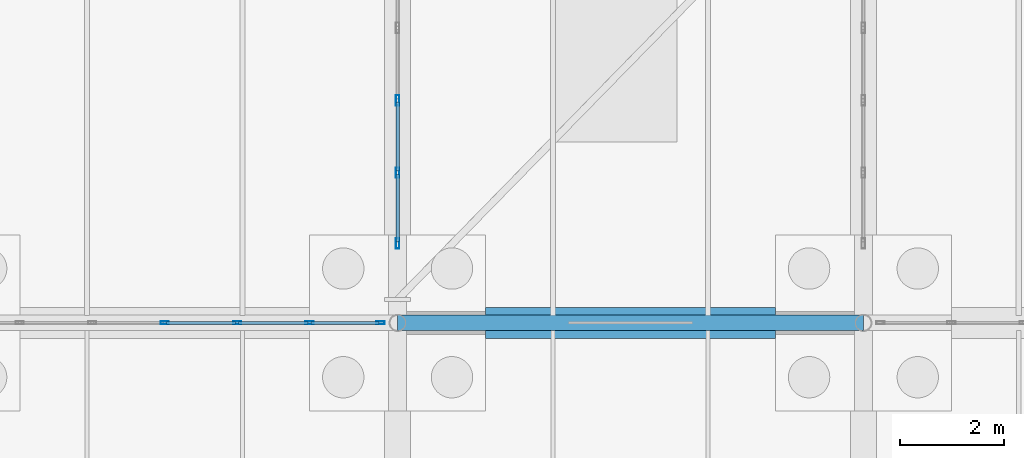
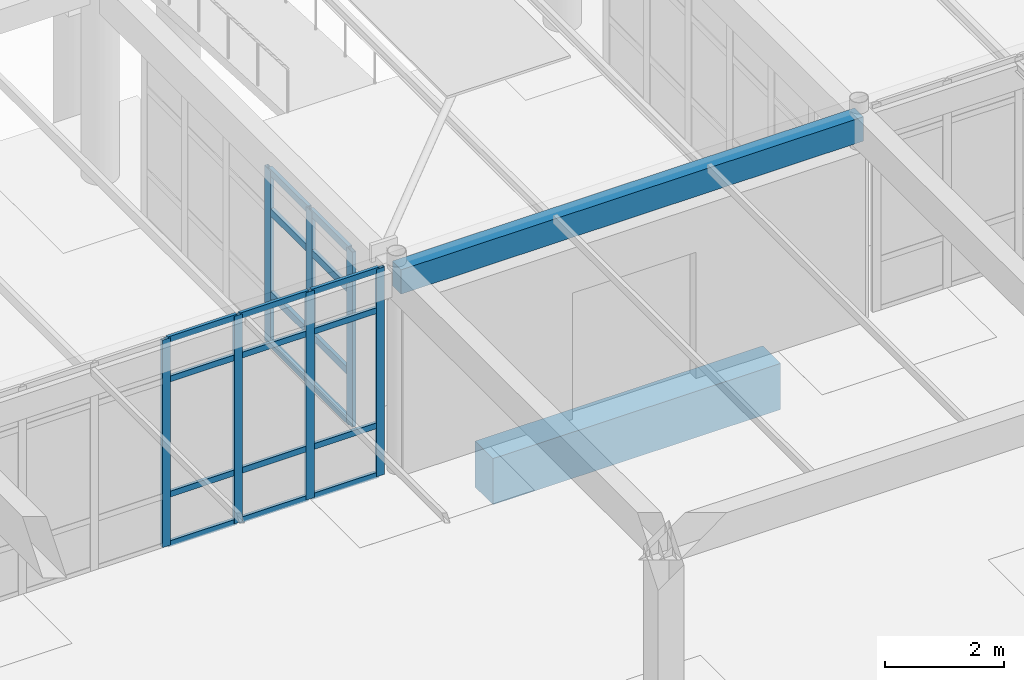
# One storey, part 72 of 186: 27 members, 2 beams, 2 elements without a shape of their own.
"""IFC4 building model written with IfcOpenShell, lengths in metres."""

from ifc_helpers import new_model, si_unit, direction, frame, origin, origin_2d, place, context, subcontext, project, spatial, rectangle, hollow_rectangle, extrude, material, layer, layer_set, material_profile, profile_set, type_object, element, aggregate, save


model = new_model("IFC4")

# Units and contexts
model_context = context("Model", 3, precision=1e-05, world=origin(), true_north=direction((0.0, 1.0)))
body_context = subcontext(model_context, "Body", "Model", "MODEL_VIEW")
ifc_project = project(units=[si_unit("LENGTHUNIT", "METRE"), si_unit("AREAUNIT", "SQUARE_METRE"), si_unit("VOLUMEUNIT", "CUBIC_METRE"), si_unit("PLANEANGLEUNIT", "RADIAN"), si_unit("MASSUNIT", "GRAM", prefix="KILO")], contexts=[model_context])

# Site, building, storey
site_placement = place(None, origin())
site = spatial("IfcSite", under=ifc_project, at=site_placement, CompositionType="ELEMENT")
building_placement = place(site_placement, origin())
building = spatial("IfcBuilding", under=site, at=building_placement, Name="Ornek Quay Market", CompositionType="ELEMENT")
storey_placement = place(building_placement, origin())
storey = spatial("IfcBuildingStorey", under=building, at=storey_placement, Name="L00", CompositionType="ELEMENT", Elevation=0.0)

# Beams
ifc_material_1 = material(Name="Concrete C35/45", Category="concrete")
ifc_material_profile_1 = material_profile(ifc_material_1, rectangle(XDim=0.60009765625, YDim=0.949951171875, at=origin_2d()), Name="RC 600x950", Category="concrete")
ifc_profile_set_1 = profile_set([ifc_material_profile_1], Name="Concrete C35/45")
beam_type_1 = type_object("IfcBeamType", Name="BM-GB-600x950", PredefinedType="BEAM", material=ifc_profile_set_1)
beam_1_placement = place(storey_placement, frame((37.699951171875, 110.0, -0.675048828125), z_axis=(1.0, 0.0, 0.0), x_axis=(0.0, 1.0, 0.0)))
element("IfcBeam", 1, at=beam_1_placement, inside=storey, type_object=beam_type_1, Name="Ground tie beam GB-046", PredefinedType="BEAM", context=body_context, shape_type="SweptSolid", body=[
    extrude(rectangle(XDim=0.60009765625, YDim=0.949951171875, at=origin_2d()), origin(), (0.0, 0.0, 1.0), 5.60009765625),
])
ifc_material_2 = material(Name="Concrete C40/50", Category="concrete")
ifc_material_profile_2 = material_profile(ifc_material_2, rectangle(XDim=0.300048828125, YDim=0.5, at=origin_2d()), Name="RC 300x500", Category="concrete")
ifc_profile_set_2 = profile_set([ifc_material_profile_2], Name="Concrete C40/50")
beam_type_2 = type_object("IfcBeamType", Name="BM-UMB-RIM-300x500", PredefinedType="SPANDREL", material=ifc_profile_set_2)
beam_2_placement = place(storey_placement, frame((36.0, 110.0, 3.93994140625), z_axis=(1.0, 0.0, 0.0), x_axis=(0.0, 1.0, 0.0)))
element("IfcBeam", 2, at=beam_2_placement, inside=storey, type_object=beam_type_2, Name="Primary beam B-UMR-005", PredefinedType="SPANDREL", context=body_context, shape_type="SweptSolid", body=[
    extrude(rectangle(XDim=0.300048828125, YDim=0.5, at=origin_2d()), origin(), (0.0, 0.0, 1.0), 9.0),
])

# Curtain wall, members
ifc_material_3 = material(Name="Anodised bronze aluminium and triple low-e glass", Category="aluminium")
ifc_layer_1 = layer(ifc_material_3, 0.179931640625, Name="Anodised bronze aluminium and triple low-e glass", Category="aluminium")
ifc_layer_set_1 = layer_set([ifc_layer_1], Name="Anodised bronze aluminium and triple low-e glass")
curtain_wall_type_1 = type_object("IfcCurtainWallType", Name="CW-CONC-MOD1500", PredefinedType="USERDEFINED", material=ifc_layer_set_1)
curtain_wall_1_placement = place(storey_placement, origin())
curtain_wall_1 = element("IfcCurtainWall", 3, at=curtain_wall_1_placement, inside=storey, type_object=curtain_wall_type_1, Name="Curtain wall CW-005", ObjectType="CURTAIN WALL", PredefinedType="USERDEFINED")
ifc_material_4 = material(Name="Anodised aluminium 6063-T6", Category="aluminium")
ifc_material_profile_3 = material_profile(ifc_material_4, hollow_rectangle(XDim=0.06005859375, YDim=0.159912109375, WallThickness=0.00390625, at=origin_2d()), Name="CW-MUL-60x160", Category="aluminium")
ifc_profile_set_3 = profile_set([ifc_material_profile_3], Name="Anodised aluminium 6063-T6")
member_type_1 = type_object("IfcMemberType", Name="CW-MUL-60x160", PredefinedType="MULLION", material=ifc_profile_set_3)
member_1_placement = place(storey_placement, frame((31.5, 110.0, 0.0), z_axis=(0.0, 0.0, 1.0), x_axis=(0.0, 1.0, 0.0)))
member_1 = element("IfcMember", 4, at=member_1_placement, type_object=member_type_1, Name="CW-005 mullion 4", PredefinedType="MULLION", context=body_context, shape_type="SweptSolid", body=[
    extrude(hollow_rectangle(XDim=0.06005859375, YDim=0.159912109375, WallThickness=0.00390625, at=origin_2d()), origin(), (0.0, 0.0, 1.0), 4.27001953125),
])
member_2_placement = place(storey_placement, frame((32.89990234375, 110.0, 0.0), z_axis=(0.0, 0.0, 1.0), x_axis=(0.0, 1.0, 0.0)))
member_2 = element("IfcMember", 5, at=member_2_placement, type_object=member_type_1, Name="CW-005 mullion 5", PredefinedType="MULLION", context=body_context, shape_type="SweptSolid", body=[
    extrude(hollow_rectangle(XDim=0.06005859375, YDim=0.159912109375, WallThickness=0.00390625, at=origin_2d()), origin(), (0.0, 0.0, 1.0), 4.27001953125),
])
member_3_placement = place(storey_placement, frame((34.300048828125, 110.0, 0.0), z_axis=(0.0, 0.0, 1.0), x_axis=(0.0, 1.0, 0.0)))
member_3 = element("IfcMember", 6, at=member_3_placement, type_object=member_type_1, Name="CW-005 mullion 6", PredefinedType="MULLION", context=body_context, shape_type="SweptSolid", body=[
    extrude(hollow_rectangle(XDim=0.06005859375, YDim=0.159912109375, WallThickness=0.00390625, at=origin_2d()), origin(), (0.0, 0.0, 1.0), 4.27001953125),
])
member_4_placement = place(storey_placement, frame((35.669921875, 110.0, 0.0), z_axis=(0.0, 0.0, 1.0), x_axis=(0.0, 1.0, 0.0)))
member_4 = element("IfcMember", 7, at=member_4_placement, type_object=member_type_1, Name="CW-005 mullion 7", PredefinedType="MULLION", context=body_context, shape_type="SweptSolid", body=[
    extrude(hollow_rectangle(XDim=0.06005859375, YDim=0.159912109375, WallThickness=0.00390625, at=origin_2d()), origin(), (0.0, 0.0, 1.0), 4.27001953125),
])

ifc_layer_2 = layer(ifc_material_3, 0.219970703125, Name="Anodised bronze aluminium and triple low-e glass", Category="aluminium")
ifc_layer_set_2 = layer_set([ifc_layer_2], Name="Anodised bronze aluminium and triple low-e glass")
curtain_wall_type_2 = type_object("IfcCurtainWallType", Name="CW-PORCH-MOD1500", PredefinedType="USERDEFINED", material=ifc_layer_set_2)
curtain_wall_2_placement = place(storey_placement, origin())
curtain_wall_2 = element("IfcCurtainWall", 8, at=curtain_wall_2_placement, inside=storey, type_object=curtain_wall_type_2, Name="Curtain wall CW-149", ObjectType="CURTAIN WALL", PredefinedType="USERDEFINED")
ifc_material_profile_4 = material_profile(ifc_material_4, hollow_rectangle(XDim=0.070068359375, YDim=0.199951171875, WallThickness=0.0048828125, at=origin_2d()), Name="CW-MUL-70x200", Category="aluminium")
ifc_profile_set_4 = profile_set([ifc_material_profile_4], Name="Anodised aluminium 6063-T6")
member_type_2 = type_object("IfcMemberType", Name="CW-MUL-70x200", PredefinedType="MULLION", material=ifc_profile_set_4)
member_5_placement = place(storey_placement, frame((36.0, 111.534912109375, 0.0), z_axis=(0.0, 0.0, 1.0), x_axis=(-1.0, 0.0, 0.0)))
member_5 = element("IfcMember", 9, at=member_5_placement, type_object=member_type_2, Name="CW-149 mullion 1", PredefinedType="MULLION", context=body_context, shape_type="SweptSolid", body=[
    extrude(hollow_rectangle(XDim=0.070068359375, YDim=0.199951171875, WallThickness=0.0048828125, at=origin_2d()), origin(), (0.0, 0.0, 1.0), 3.60009765625),
])
member_6_placement = place(storey_placement, frame((36.0, 112.89990234375, 0.0), z_axis=(0.0, 0.0, 1.0), x_axis=(-1.0, 0.0, 0.0)))
member_6 = element("IfcMember", 10, at=member_6_placement, type_object=member_type_2, Name="CW-149 mullion 2", PredefinedType="MULLION", context=body_context, shape_type="SweptSolid", body=[
    extrude(hollow_rectangle(XDim=0.070068359375, YDim=0.199951171875, WallThickness=0.0048828125, at=origin_2d()), origin(), (0.0, 0.0, 1.0), 3.60009765625),
])
member_7_placement = place(storey_placement, frame((36.0, 114.300048828125, 0.0), z_axis=(0.0, 0.0, 1.0), x_axis=(-1.0, 0.0, 0.0)))
member_7 = element("IfcMember", 11, at=member_7_placement, type_object=member_type_2, Name="CW-149 mullion 3", PredefinedType="MULLION", context=body_context, shape_type="SweptSolid", body=[
    extrude(hollow_rectangle(XDim=0.070068359375, YDim=0.199951171875, WallThickness=0.0048828125, at=origin_2d()), origin(), (0.0, 0.0, 1.0), 3.60009765625),
])

# Member
ifc_material_profile_5 = material_profile(ifc_material_4, hollow_rectangle(XDim=0.06005859375, YDim=0.1201171875, WallThickness=0.00390625, at=origin_2d()), Name="CW-TRN-60x120", Category="aluminium")
ifc_profile_set_5 = profile_set([ifc_material_profile_5], Name="Anodised aluminium 6063-T6")
member_type_3 = type_object("IfcMemberType", Name="CW-TRN-60x120", PredefinedType="USERDEFINED", material=ifc_profile_set_5)
member_8_placement = place(storey_placement, frame((31.530029296875, 110.0, 0.030029296875), z_axis=(1.0, 0.0, 0.0), x_axis=(0.0, 1.0, 0.0)))
member_8 = element("IfcMember", 12, at=member_8_placement, type_object=member_type_3, Name="CW-005 transom 4.1", ObjectType="TRANSOM", PredefinedType="USERDEFINED", context=body_context, shape_type="SweptSolid", body=[
    extrude(hollow_rectangle(XDim=0.06005859375, YDim=0.1201171875, WallThickness=0.00390625, at=origin_2d()), origin(), (0.0, 0.0, 1.0), 1.340087890625),
])

member_9_placement = place(storey_placement, frame((31.530029296875, 110.0, 1.050048828125), z_axis=(1.0, 0.0, 0.0), x_axis=(0.0, 1.0, 0.0)))
member_9 = element("IfcMember", 13, at=member_9_placement, type_object=member_type_3, Name="CW-005 transom 4.2", ObjectType="TRANSOM", PredefinedType="USERDEFINED", context=body_context, shape_type="SweptSolid", body=[
    extrude(hollow_rectangle(XDim=0.06005859375, YDim=0.1201171875, WallThickness=0.00390625, at=origin_2d()), origin(), (0.0, 0.0, 1.0), 1.340087890625),
])

member_10_placement = place(storey_placement, frame((31.530029296875, 110.0, 3.419921875), z_axis=(1.0, 0.0, 0.0), x_axis=(0.0, 1.0, 0.0)))
member_10 = element("IfcMember", 14, at=member_10_placement, type_object=member_type_3, Name="CW-005 transom 4.3", ObjectType="TRANSOM", PredefinedType="USERDEFINED", context=body_context, shape_type="SweptSolid", body=[
    extrude(hollow_rectangle(XDim=0.06005859375, YDim=0.1201171875, WallThickness=0.00390625, at=origin_2d()), origin(), (0.0, 0.0, 1.0), 1.340087890625),
])

member_11_placement = place(storey_placement, frame((31.530029296875, 110.0, 4.239990234375), z_axis=(1.0, 0.0, 0.0), x_axis=(0.0, 1.0, 0.0)))
member_11 = element("IfcMember", 15, at=member_11_placement, type_object=member_type_3, Name="CW-005 transom 4.4", ObjectType="TRANSOM", PredefinedType="USERDEFINED", context=body_context, shape_type="SweptSolid", body=[
    extrude(hollow_rectangle(XDim=0.06005859375, YDim=0.1201171875, WallThickness=0.00390625, at=origin_2d()), origin(), (0.0, 0.0, 1.0), 1.340087890625),
])

member_12_placement = place(storey_placement, frame((32.929931640625, 110.0, 0.030029296875), z_axis=(1.0, 0.0, 0.0), x_axis=(0.0, 1.0, 0.0)))
member_12 = element("IfcMember", 16, at=member_12_placement, type_object=member_type_3, Name="CW-005 transom 5.1", ObjectType="TRANSOM", PredefinedType="USERDEFINED", context=body_context, shape_type="SweptSolid", body=[
    extrude(hollow_rectangle(XDim=0.06005859375, YDim=0.1201171875, WallThickness=0.00390625, at=origin_2d()), origin(), (0.0, 0.0, 1.0), 1.340087890625),
])

member_13_placement = place(storey_placement, frame((32.929931640625, 110.0, 1.050048828125), z_axis=(1.0, 0.0, 0.0), x_axis=(0.0, 1.0, 0.0)))
member_13 = element("IfcMember", 17, at=member_13_placement, type_object=member_type_3, Name="CW-005 transom 5.2", ObjectType="TRANSOM", PredefinedType="USERDEFINED", context=body_context, shape_type="SweptSolid", body=[
    extrude(hollow_rectangle(XDim=0.06005859375, YDim=0.1201171875, WallThickness=0.00390625, at=origin_2d()), origin(), (0.0, 0.0, 1.0), 1.340087890625),
])

member_14_placement = place(storey_placement, frame((32.929931640625, 110.0, 3.419921875), z_axis=(1.0, 0.0, 0.0), x_axis=(0.0, 1.0, 0.0)))
member_14 = element("IfcMember", 18, at=member_14_placement, type_object=member_type_3, Name="CW-005 transom 5.3", ObjectType="TRANSOM", PredefinedType="USERDEFINED", context=body_context, shape_type="SweptSolid", body=[
    extrude(hollow_rectangle(XDim=0.06005859375, YDim=0.1201171875, WallThickness=0.00390625, at=origin_2d()), origin(), (0.0, 0.0, 1.0), 1.340087890625),
])

member_15_placement = place(storey_placement, frame((32.929931640625, 110.0, 4.239990234375), z_axis=(1.0, 0.0, 0.0), x_axis=(0.0, 1.0, 0.0)))
member_15 = element("IfcMember", 19, at=member_15_placement, type_object=member_type_3, Name="CW-005 transom 5.4", ObjectType="TRANSOM", PredefinedType="USERDEFINED", context=body_context, shape_type="SweptSolid", body=[
    extrude(hollow_rectangle(XDim=0.06005859375, YDim=0.1201171875, WallThickness=0.00390625, at=origin_2d()), origin(), (0.0, 0.0, 1.0), 1.340087890625),
])

member_16_placement = place(storey_placement, frame((34.330078125, 110.0, 0.030029296875), z_axis=(1.0, 0.0, 0.0), x_axis=(0.0, 1.0, 0.0)))
member_16 = element("IfcMember", 20, at=member_16_placement, type_object=member_type_3, Name="CW-005 transom 6.1", ObjectType="TRANSOM", PredefinedType="USERDEFINED", context=body_context, shape_type="SweptSolid", body=[
    extrude(hollow_rectangle(XDim=0.06005859375, YDim=0.1201171875, WallThickness=0.00390625, at=origin_2d()), origin(), (0.0, 0.0, 1.0), 1.309814453125),
])

member_17_placement = place(storey_placement, frame((34.330078125, 110.0, 1.050048828125), z_axis=(1.0, 0.0, 0.0), x_axis=(0.0, 1.0, 0.0)))
member_17 = element("IfcMember", 21, at=member_17_placement, type_object=member_type_3, Name="CW-005 transom 6.2", ObjectType="TRANSOM", PredefinedType="USERDEFINED", context=body_context, shape_type="SweptSolid", body=[
    extrude(hollow_rectangle(XDim=0.06005859375, YDim=0.1201171875, WallThickness=0.00390625, at=origin_2d()), origin(), (0.0, 0.0, 1.0), 1.309814453125),
])

member_18_placement = place(storey_placement, frame((34.330078125, 110.0, 3.419921875), z_axis=(1.0, 0.0, 0.0), x_axis=(0.0, 1.0, 0.0)))
member_18 = element("IfcMember", 22, at=member_18_placement, type_object=member_type_3, Name="CW-005 transom 6.3", ObjectType="TRANSOM", PredefinedType="USERDEFINED", context=body_context, shape_type="SweptSolid", body=[
    extrude(hollow_rectangle(XDim=0.06005859375, YDim=0.1201171875, WallThickness=0.00390625, at=origin_2d()), origin(), (0.0, 0.0, 1.0), 1.309814453125),
])

member_19_placement = place(storey_placement, frame((34.330078125, 110.0, 4.239990234375), z_axis=(1.0, 0.0, 0.0), x_axis=(0.0, 1.0, 0.0)))
member_19 = element("IfcMember", 23, at=member_19_placement, type_object=member_type_3, Name="CW-005 transom 6.4", ObjectType="TRANSOM", PredefinedType="USERDEFINED", context=body_context, shape_type="SweptSolid", body=[
    extrude(hollow_rectangle(XDim=0.06005859375, YDim=0.1201171875, WallThickness=0.00390625, at=origin_2d()), origin(), (0.0, 0.0, 1.0), 1.309814453125),
])

aggregate(curtain_wall_1, [member_1, member_2, member_3, member_4, member_8, member_9, member_10, member_11, member_12, member_13, member_14, member_15, member_16, member_17, member_18, member_19])

ifc_material_profile_6 = material_profile(ifc_material_4, hollow_rectangle(XDim=0.070068359375, YDim=0.14990234375, WallThickness=0.0048828125, at=origin_2d()), Name="CW-TRN-70x150", Category="aluminium")
ifc_profile_set_6 = profile_set([ifc_material_profile_6], Name="Anodised aluminium 6063-T6")
member_type_4 = type_object("IfcMemberType", Name="CW-TRN-70x150", PredefinedType="USERDEFINED", material=ifc_profile_set_6)
member_20_placement = place(storey_placement, frame((36.0, 111.570068359375, 0.034912109375), z_axis=(0.0, 1.0, 0.0), x_axis=(-1.0, 0.0, 0.0)))
member_20 = element("IfcMember", 24, at=member_20_placement, type_object=member_type_4, Name="CW-149 transom 1.1", ObjectType="TRANSOM", PredefinedType="USERDEFINED", context=body_context, shape_type="SweptSolid", body=[
    extrude(hollow_rectangle(XDim=0.070068359375, YDim=0.14990234375, WallThickness=0.0048828125, at=origin_2d()), origin(), (0.0, 0.0, 1.0), 1.294921875),
])

member_21_placement = place(storey_placement, frame((36.0, 111.570068359375, 1.050048828125), z_axis=(0.0, 1.0, 0.0), x_axis=(-1.0, 0.0, 0.0)))
member_21 = element("IfcMember", 25, at=member_21_placement, type_object=member_type_4, Name="CW-149 transom 1.2", ObjectType="TRANSOM", PredefinedType="USERDEFINED", context=body_context, shape_type="SweptSolid", body=[
    extrude(hollow_rectangle(XDim=0.070068359375, YDim=0.14990234375, WallThickness=0.0048828125, at=origin_2d()), origin(), (0.0, 0.0, 1.0), 1.294921875),
])

member_22_placement = place(storey_placement, frame((36.0, 111.570068359375, 2.75), z_axis=(0.0, 1.0, 0.0), x_axis=(-1.0, 0.0, 0.0)))
member_22 = element("IfcMember", 26, at=member_22_placement, type_object=member_type_4, Name="CW-149 transom 1.3", ObjectType="TRANSOM", PredefinedType="USERDEFINED", context=body_context, shape_type="SweptSolid", body=[
    extrude(hollow_rectangle(XDim=0.070068359375, YDim=0.14990234375, WallThickness=0.0048828125, at=origin_2d()), origin(), (0.0, 0.0, 1.0), 1.294921875),
])

member_23_placement = place(storey_placement, frame((36.0, 111.570068359375, 3.56494140625), z_axis=(0.0, 1.0, 0.0), x_axis=(-1.0, 0.0, 0.0)))
member_23 = element("IfcMember", 27, at=member_23_placement, type_object=member_type_4, Name="CW-149 transom 1.4", ObjectType="TRANSOM", PredefinedType="USERDEFINED", context=body_context, shape_type="SweptSolid", body=[
    extrude(hollow_rectangle(XDim=0.070068359375, YDim=0.14990234375, WallThickness=0.0048828125, at=origin_2d()), origin(), (0.0, 0.0, 1.0), 1.294921875),
])

member_24_placement = place(storey_placement, frame((36.0, 112.93505859375, 0.034912109375), z_axis=(0.0, 1.0, 0.0), x_axis=(-1.0, 0.0, 0.0)))
member_24 = element("IfcMember", 28, at=member_24_placement, type_object=member_type_4, Name="CW-149 transom 2.1", ObjectType="TRANSOM", PredefinedType="USERDEFINED", context=body_context, shape_type="SweptSolid", body=[
    extrude(hollow_rectangle(XDim=0.070068359375, YDim=0.14990234375, WallThickness=0.0048828125, at=origin_2d()), origin(), (0.0, 0.0, 1.0), 1.329833984375),
])

member_25_placement = place(storey_placement, frame((36.0, 112.93505859375, 1.050048828125), z_axis=(0.0, 1.0, 0.0), x_axis=(-1.0, 0.0, 0.0)))
member_25 = element("IfcMember", 29, at=member_25_placement, type_object=member_type_4, Name="CW-149 transom 2.2", ObjectType="TRANSOM", PredefinedType="USERDEFINED", context=body_context, shape_type="SweptSolid", body=[
    extrude(hollow_rectangle(XDim=0.070068359375, YDim=0.14990234375, WallThickness=0.0048828125, at=origin_2d()), origin(), (0.0, 0.0, 1.0), 1.329833984375),
])

member_26_placement = place(storey_placement, frame((36.0, 112.93505859375, 2.75), z_axis=(0.0, 1.0, 0.0), x_axis=(-1.0, 0.0, 0.0)))
member_26 = element("IfcMember", 30, at=member_26_placement, type_object=member_type_4, Name="CW-149 transom 2.3", ObjectType="TRANSOM", PredefinedType="USERDEFINED", context=body_context, shape_type="SweptSolid", body=[
    extrude(hollow_rectangle(XDim=0.070068359375, YDim=0.14990234375, WallThickness=0.0048828125, at=origin_2d()), origin(), (0.0, 0.0, 1.0), 1.329833984375),
])

member_27_placement = place(storey_placement, frame((36.0, 112.93505859375, 3.56494140625), z_axis=(0.0, 1.0, 0.0), x_axis=(-1.0, 0.0, 0.0)))
member_27 = element("IfcMember", 31, at=member_27_placement, type_object=member_type_4, Name="CW-149 transom 2.4", ObjectType="TRANSOM", PredefinedType="USERDEFINED", context=body_context, shape_type="SweptSolid", body=[
    extrude(hollow_rectangle(XDim=0.070068359375, YDim=0.14990234375, WallThickness=0.0048828125, at=origin_2d()), origin(), (0.0, 0.0, 1.0), 1.329833984375),
])

aggregate(curtain_wall_2, [member_5, member_6, member_7, member_20, member_21, member_22, member_23, member_24, member_25, member_26, member_27])

save(model, "model.ifc")
